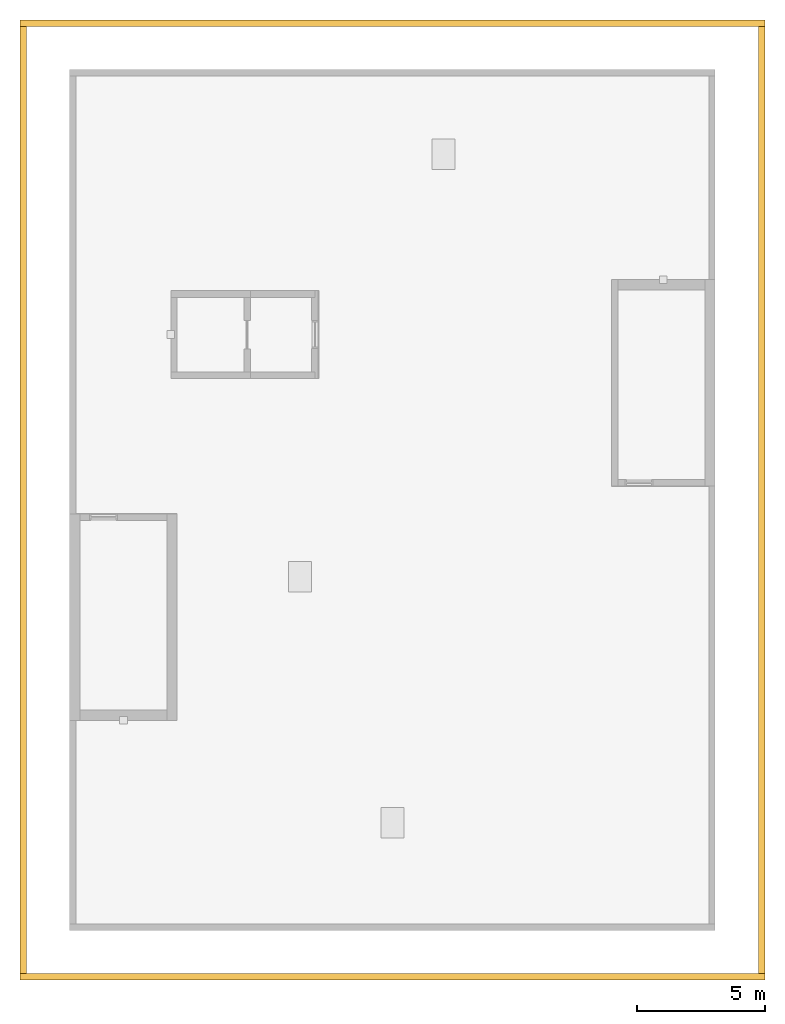
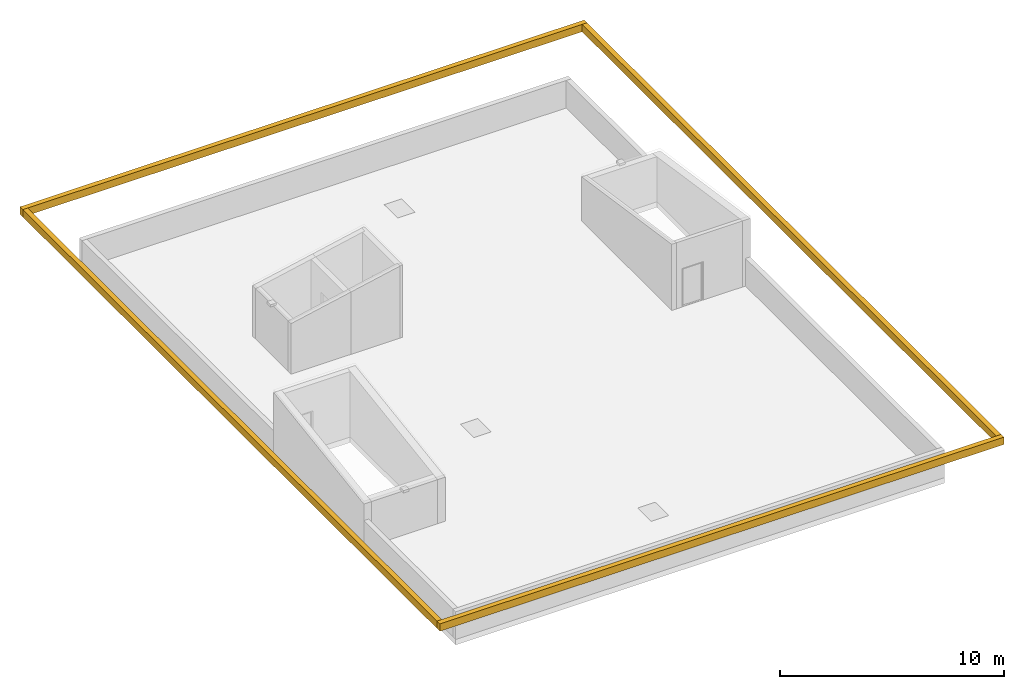
# One storey, part 2 of 2: 4 shading devices.
"""IFC4 building model written with IfcOpenShell, lengths in metres."""

from ifc_helpers import new_model, si_unit, direction, frame, origin, origin_2d, place, context, subcontext, project, spatial, rectangle, extrude, material, type_object, element, save


model = new_model("IFC4")

# Units and contexts
model_context = context("Model", 3, precision=1e-05, world=origin(), true_north=direction((0.0, 1.0)))
body_context = subcontext(model_context, "Body", "Model", "MODEL_VIEW")
ifc_project = project(units=[si_unit("LENGTHUNIT", "METRE"), si_unit("AREAUNIT", "SQUARE_METRE"), si_unit("VOLUMEUNIT", "CUBIC_METRE"), si_unit("PLANEANGLEUNIT", "RADIAN"), si_unit("MASSUNIT", "GRAM", prefix="KILO")], contexts=[model_context])

# Site, building, storey
site_placement = place(None, origin())
site = spatial("IfcSite", under=ifc_project, at=site_placement, CompositionType="ELEMENT")
building_placement = place(site_placement, origin())
building = spatial("IfcBuilding", under=site, at=building_placement, Name="Rulbaag Community and Learning Centre", CompositionType="ELEMENT")
storey_placement = place(building_placement, frame((0.0, 0.0, 68.89990234375)))
storey = spatial("IfcBuildingStorey", under=building, at=storey_placement, Name="ROOF", CompositionType="ELEMENT", Elevation=68.89990234375)

# Shading devices
ifc_material = material(Name="Concrete M40", Category="concrete")
shading_device_type = type_object("IfcShadingDeviceType", Name="CR-1", PredefinedType="USERDEFINED", material=ifc_material)
for number, where, z_axis, x_axis, name in (
    (1, (155.39990234375, 82.186279296875, 2.300048828125), (0.0, 0.0, 1.0), (1.0, 0.0, 0.0), "Crown ring beam"),
    (2, (155.39990234375, 119.413818359375, 2.300048828125), (0.0, 0.0, 1.0), (1.0, 0.0, 0.0), "Crown ring beam"),
):
    element("IfcShadingDevice", number, at=place(storey_placement, frame(where, z_axis=z_axis, x_axis=x_axis)), inside=storey, type_object=shading_device_type, Name=name, ObjectType="CROWN RING BEAM", PredefinedType="USERDEFINED", context=body_context, shape_type="SweptSolid", body=[
        extrude(rectangle(XDim=29.077392578125, YDim=0.25, at=origin_2d()), origin(), (0.0, 0.0, 1.0), 0.39990234375),
    ])
for number, where, z_axis, x_axis, name in (
    (3, (140.986328125, 100.800048828125, 2.300048828125), (0.0, 0.0, 1.0), (1.0, 0.0, 0.0), "Crown ring beam"),
    (4, (169.813720703125, 100.800048828125, 2.300048828125), (0.0, 0.0, 1.0), (1.0, 0.0, 0.0), "Crown ring beam"),
):
    element("IfcShadingDevice", number, at=place(storey_placement, frame(where, z_axis=z_axis, x_axis=x_axis)), inside=storey, type_object=shading_device_type, Name=name, ObjectType="CROWN RING BEAM", PredefinedType="USERDEFINED", context=body_context, shape_type="SweptSolid", body=[
        extrude(rectangle(XDim=0.25, YDim=36.977294921875, at=origin_2d()), origin(), (0.0, 0.0, 1.0), 0.39990234375),
    ])

save(model, "model.ifc")
